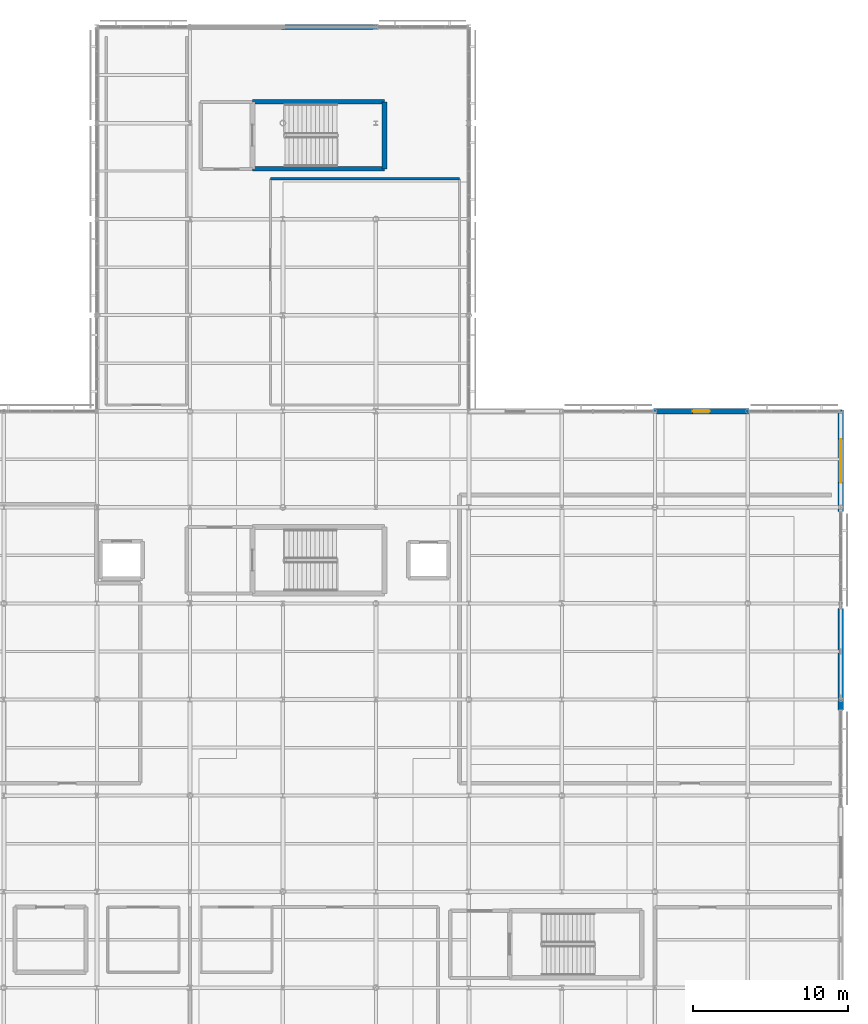
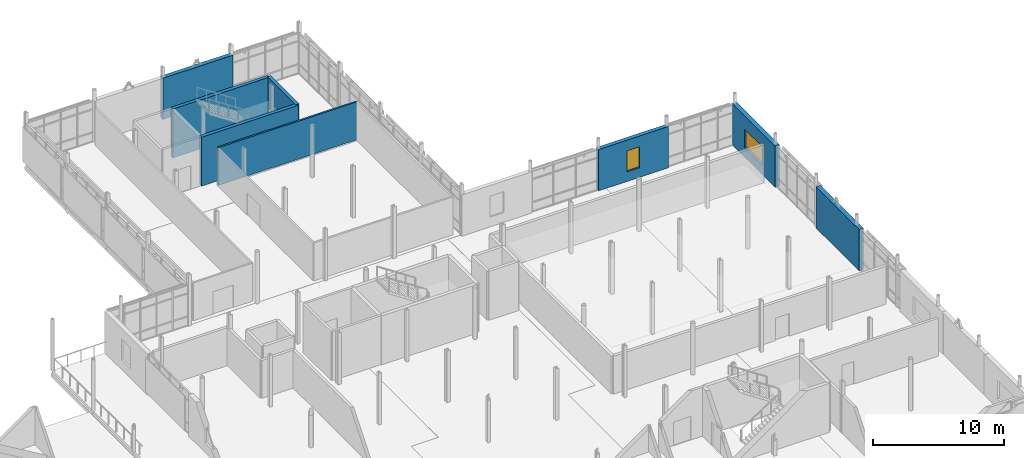
# One storey, part 63 of 84: 8 walls, 2 windows, 2 openings.
"""IFC4 building model written with IfcOpenShell, lengths in metres."""

from ifc_helpers import new_model, si_unit, direction, frame, frame_2d, origin, place, context, subcontext, project, spatial, rectangle, extrude, material, layer, layer_set, type_object, element, fill, save


model = new_model("IFC4")

# Units and contexts
model_context = context("Model", 3, precision=1e-05, world=origin(), true_north=direction((0.0, 1.0)))
body_context = subcontext(model_context, "Body", "Model", "MODEL_VIEW")
ifc_project = project(units=[si_unit("LENGTHUNIT", "METRE"), si_unit("AREAUNIT", "SQUARE_METRE"), si_unit("VOLUMEUNIT", "CUBIC_METRE"), si_unit("PLANEANGLEUNIT", "RADIAN"), si_unit("MASSUNIT", "GRAM", prefix="KILO")], contexts=[model_context])

# Site, building, storey
site_placement = place(None, origin())
site = spatial("IfcSite", under=ifc_project, at=site_placement, CompositionType="ELEMENT")
building_placement = place(site_placement, origin())
building = spatial("IfcBuilding", under=site, at=building_placement, Name="Mirzam Square Science Centre", CompositionType="ELEMENT")
storey_placement = place(building_placement, frame((0.0, 0.0, 10.800048828125)))
storey = spatial("IfcBuildingStorey", under=building, at=storey_placement, Name="L02", CompositionType="ELEMENT", Elevation=10.800048828125)

# Walls
ifc_material_1 = material(Name="Concrete C45/55", Category="concrete")
ifc_layer_1 = layer(ifc_material_1, 0.300048828125)
ifc_layer_set_1 = layer_set([ifc_layer_1], Name="W-CORE-300")
wall_type_1 = type_object("IfcWallType", Name="W-CORE-300", PredefinedType="SHEAR", material=ifc_layer_set_1)
for number, where, z_axis, x_axis, name in (
    (1, (124.0400390625, 102.43994140625, 0.0), (0.0, 0.0, 1.0), (1.0, 0.0, 0.0), "L02 CORE-7 south wall"),
    (2, (132.56005859375, 106.77001953125, 0.0), (0.0, 0.0, 1.0), (-1.0, 0.0, 0.0), "L02 CORE-7 north wall"),
):
    element("IfcWall", number, at=place(storey_placement, frame(where, z_axis=z_axis, x_axis=x_axis)), inside=storey, type_object=wall_type_1, Name=name, PredefinedType="SHEAR", context=body_context, shape_type="SweptSolid", body=[
        extrude(rectangle(XDim=8.52001953125, YDim=0.300048828125, at=frame_2d((4.260009765625, 0.0))), origin(), (0.0, 0.0, 1.0), 4.550048828125),
    ])
wall_1_placement = place(storey_placement, frame((132.56005859375, 102.43994140625, 0.0), z_axis=(0.0, 0.0, 1.0), x_axis=(0.0, 1.0, 0.0)))
element("IfcWall", 3, at=wall_1_placement, inside=storey, type_object=wall_type_1, Name="L02 CORE-7 east wall", PredefinedType="SHEAR", context=body_context, shape_type="SweptSolid", body=[
    extrude(rectangle(XDim=4.330078125, YDim=0.300048828125, at=frame_2d((2.1650390625, 0.0))), origin(), (0.0, 0.0, 1.0), 4.550048828125),
])

# Wall, opening, window
ifc_material_2 = material(Name="Insulated Sand-Toned GFRC Concrete C40/50", Category="concrete")
ifc_layer_2 = layer(ifc_material_2, 0.340087890625)
ifc_layer_set_2 = layer_set([ifc_layer_2], Name="W-EXT-GFRC-340")
wall_type_2 = type_object("IfcWallType", Name="W-EXT-GFRC-340", PredefinedType="SOLIDWALL", material=ifc_layer_set_2)
wall_2_placement = place(storey_placement, frame((156.074951171875, 86.800048828125, 0.0), z_axis=(0.0, 0.0, 1.0), x_axis=(-1.0, 0.0, 0.0)))
wall_2 = element("IfcWall", 4, at=wall_2_placement, inside=storey, type_object=wall_type_2, Name="L02 external wall EW-EST-NE-L02-02", PredefinedType="SOLIDWALL", context=body_context, shape_type="SweptSolid", body=[
    extrude(rectangle(XDim=6.14990234375, YDim=0.340087890625, at=frame_2d((3.074951171875, 0.0))), origin(), (0.0, 0.0, 1.0), 3.83984375),
])
opening_1_placement = place(wall_2_placement, frame((2.52490234375, 0.0, 0.89990234375)))
opening_1 = element("IfcOpeningElement", 5, at=opening_1_placement, cuts=wall_2, Name="Opening W-34", PredefinedType="OPENING", context=body_context, shape_type="SweptSolid", body=[
    extrude(rectangle(XDim=1.10009765625, YDim=1.949951171875, at=frame_2d((0.550048828125, 0.97509765625))), frame((0.0, 0.179931640625, 0.0), z_axis=(0.0, -1.0, 0.0), x_axis=(1.0, 0.0, 0.0)), (0.0, 0.0, 1.0), 0.360107421875),
])
ifc_material_3 = material(Name="Thermally Broken Bronze Aluminium and Low-E Glass", Category="aluminium")
window_type_1 = type_object("IfcWindowType", Name="WIN-1100x1950", PartitioningType="SINGLE_PANEL", PredefinedType="WINDOW", material=ifc_material_3)
window_1_placement = place(opening_1_placement, origin())
window_1 = element("IfcWindow", 6, at=window_1_placement, inside=storey, type_object=window_type_1, Name="L02 solar window 078", OverallHeight=1.949951171875, OverallWidth=1.10009765625, PartitioningType="SINGLE_PANEL", PredefinedType="WINDOW", context=body_context, shape_type="SweptSolid", body=[
    extrude(rectangle(XDim=1.10009765625, YDim=1.949951171875, at=frame_2d((0.550048828125, 0.97509765625))), frame((0.0, 0.030029296875, 0.0), z_axis=(0.0, -1.0, 0.0), x_axis=(1.0, 0.0, 0.0)), (0.0, 0.0, 1.0), 0.06005859375),
])
fill(opening_1, window_1)

# Wall
ifc_layer_3 = layer(ifc_material_2, 0.385009765625)
ifc_layer_set_3 = layer_set([ifc_layer_3], Name="W-EXT-GFRC-385")
wall_type_3 = type_object("IfcWallType", Name="W-EXT-GFRC-385", PredefinedType="SOLIDWALL", material=ifc_layer_set_3)
wall_3_placement = place(storey_placement, frame((162.0, 67.52490234375, 0.0), z_axis=(0.0, 0.0, 1.0), x_axis=(0.0, 1.0, 0.0)))
element("IfcWall", 7, at=wall_3_placement, inside=storey, type_object=wall_type_3, Name="L02 external wall EW-EST-E-L02-05", PredefinedType="SOLIDWALL", context=body_context, shape_type="SweptSolid", body=[
    extrude(rectangle(XDim=6.550048828125, YDim=0.385009765625, at=frame_2d((3.27490234375, 0.0))), origin(), (0.0, 0.0, 1.0), 3.83984375),
])

# Wall, opening, window
wall_4_placement = place(storey_placement, frame((162.0, 80.324951171875, 0.0), z_axis=(0.0, 0.0, 1.0), x_axis=(0.0, 1.0, 0.0)))
wall_4 = element("IfcWall", 8, at=wall_4_placement, inside=storey, type_object=wall_type_3, Name="L02 external wall EW-EST-E-L02-07", PredefinedType="SOLIDWALL", context=body_context, shape_type="SweptSolid", body=[
    extrude(rectangle(XDim=6.550048828125, YDim=0.385009765625, at=frame_2d((3.27490234375, 0.0))), origin(), (0.0, 0.0, 1.0), 3.83984375),
])
opening_2_placement = place(wall_4_placement, frame((1.875, 0.0, 0.89990234375)))
opening_2 = element("IfcOpeningElement", 9, at=opening_2_placement, cuts=wall_4, Name="Opening W-33", PredefinedType="OPENING", context=body_context, shape_type="SweptSolid", body=[
    extrude(rectangle(XDim=2.800048828125, YDim=1.699951171875, at=frame_2d((1.39990234375, 0.85009765625))), frame((0.0, 0.202392578125, 0.0), z_axis=(0.0, -1.0, 0.0), x_axis=(1.0, 0.0, 0.0)), (0.0, 0.0, 1.0), 0.405029296875),
])
window_type_2 = type_object("IfcWindowType", Name="WIN-2800x1700", PartitioningType="DOUBLE_PANEL_VERTICAL", PredefinedType="WINDOW", material=ifc_material_3)
window_2_placement = place(opening_2_placement, origin())
window_2 = element("IfcWindow", 10, at=window_2_placement, inside=storey, type_object=window_type_2, Name="L02 solar window 077", OverallHeight=1.699951171875, OverallWidth=2.800048828125, PartitioningType="DOUBLE_PANEL_VERTICAL", PredefinedType="WINDOW", context=body_context, shape_type="SweptSolid", body=[
    extrude(rectangle(XDim=2.800048828125, YDim=1.699951171875, at=frame_2d((1.39990234375, 0.85009765625))), frame((0.0, 0.030029296875, 0.0), z_axis=(0.0, -1.0, 0.0), x_axis=(1.0, 0.0, 0.0)), (0.0, 0.0, 1.0), 0.06005859375),
])
fill(opening_2, window_2)

# Walls
ifc_material_4 = material(Name="Standing-Seam Zinc-Clad Concrete Backup C40/50", Category="concrete")
ifc_layer_4 = layer(ifc_material_4, 0.35009765625)
ifc_layer_set_4 = layer_set([ifc_layer_4], Name="W-EXT-METAL-350")
wall_type_4 = type_object("IfcWallType", Name="W-EXT-METAL-350", PredefinedType="SOLIDWALL", material=ifc_layer_set_4)
wall_5_placement = place(storey_placement, frame((132.074951171875, 111.60009765625, 0.0), z_axis=(0.0, 0.0, 1.0), x_axis=(-1.0, 0.0, 0.0)))
element("IfcWall", 11, at=wall_5_placement, inside=storey, type_object=wall_type_4, Name="L02 external wall EW-NEP-N-L02-22", PredefinedType="SOLIDWALL", context=body_context, shape_type="SweptSolid", body=[
    extrude(rectangle(XDim=6.14990234375, YDim=0.35009765625, at=frame_2d((3.074951171875, 0.0))), origin(), (0.0, 0.0, 1.0), 3.83984375),
])
ifc_material_5 = material(Name="Laboratory Acoustic Partition", Category="gypsum")
ifc_layer_5 = layer(ifc_material_5, 0.14990234375)
ifc_layer_set_5 = layer_set([ifc_layer_5], Name="W-PART-150")
wall_type_5 = type_object("IfcWallType", Name="W-PART-150", PredefinedType="PARTITIONING", material=ifc_layer_set_5)
wall_6_placement = place(storey_placement, frame((125.199951171875, 101.800048828125, 0.0), z_axis=(0.0, 0.0, 1.0), x_axis=(1.0, 0.0, 0.0)))
element("IfcWall", 12, at=wall_6_placement, inside=storey, type_object=wall_type_5, Name="L02 Scientific Instrument Conservation Studio partition 206", PredefinedType="PARTITIONING", context=body_context, shape_type="SweptSolid", body=[
    extrude(rectangle(XDim=12.199951171875, YDim=0.14990234375, at=frame_2d((6.10009765625, 0.0))), origin(), (0.0, 0.0, 1.0), 3.52001953125),
])

save(model, "model.ifc")
